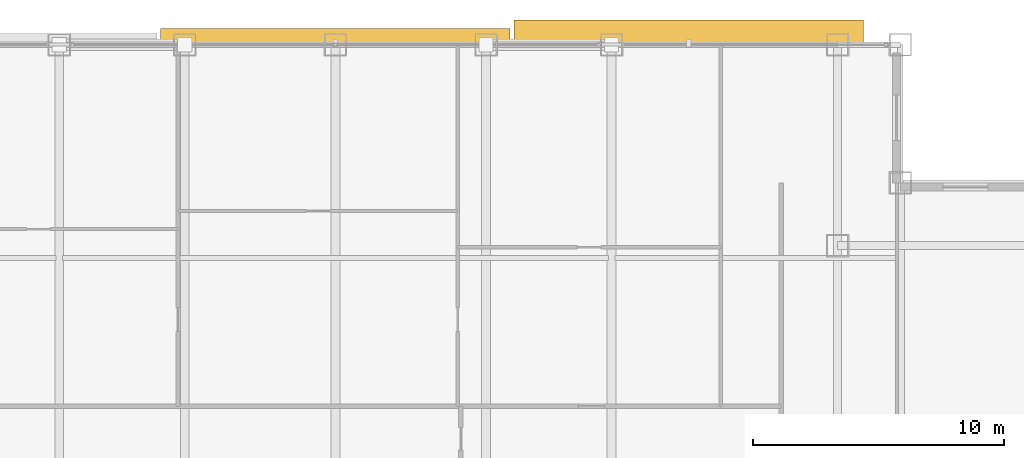
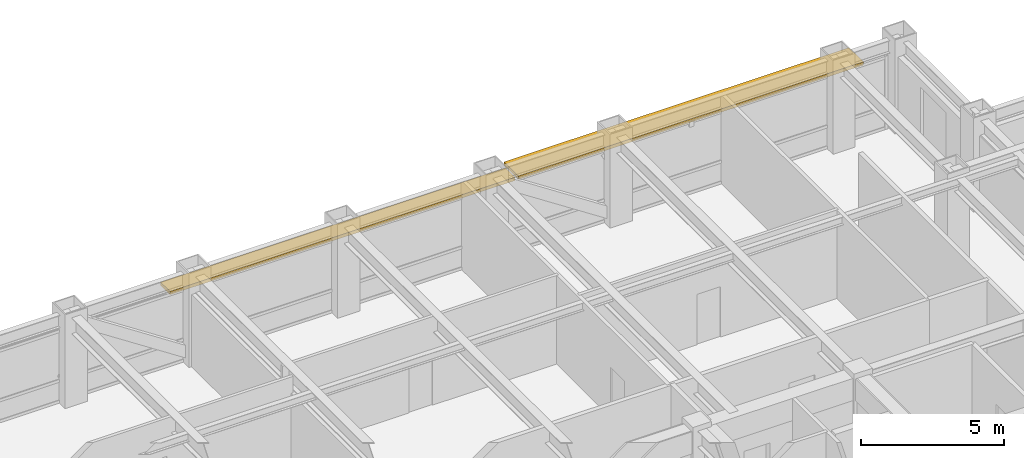
# One storey, part 27 of 27: 2 shading devices.
"""IFC4 building model written with IfcOpenShell, lengths in metres."""

from ifc_helpers import new_model, si_unit, direction, frame, origin, origin_2d, place, context, subcontext, project, spatial, rectangle, extrude, source, transform, mapped, material, layer, layer_set, type_object, element, save


model = new_model("IFC4")

# Units and contexts
model_context = context("Model", 3, precision=1e-05, world=origin(), true_north=direction((0.0, 1.0)))
body_context = subcontext(model_context, "Body", "Model", "MODEL_VIEW")
ifc_project = project(units=[si_unit("LENGTHUNIT", "METRE"), si_unit("AREAUNIT", "SQUARE_METRE"), si_unit("VOLUMEUNIT", "CUBIC_METRE"), si_unit("PLANEANGLEUNIT", "RADIAN"), si_unit("MASSUNIT", "GRAM", prefix="KILO")], contexts=[model_context])

# Site, building, storey
site_placement = place(None, origin())
site = spatial("IfcSite", under=ifc_project, at=site_placement, CompositionType="ELEMENT")
building_placement = place(site_placement, origin())
building = spatial("IfcBuilding", under=site, at=building_placement, Name="Khorayat Bourse Tower", CompositionType="ELEMENT")
storey_placement = place(building_placement, frame((0.0, 0.0, 281.5)))
storey = spatial("IfcBuildingStorey", under=building, at=storey_placement, Name="L66", CompositionType="ELEMENT", Elevation=281.5)

# Shading devices
ifc_material = material(Name="Precast concrete C45/55", Category="concrete")
ifc_layer = layer(ifc_material, 0.139892578125)
ifc_layer_set = layer_set([ifc_layer], Name="Precast concrete C45/55")
shading_device_type = type_object("IfcShadingDeviceType", Name="SHD-WAVE-TRAY-B", PredefinedType="USERDEFINED", material=ifc_layer_set)
shared_shape_1 = source(origin(), body_context, "Body", "SweptSolid", [
    extrude(rectangle(XDim=13.9267578125, YDim=0.6611328125, at=origin_2d()), origin(), (0.0, 0.0, 1.0), 0.139892578125),
])
shading_device_1_placement = place(storey_placement, frame((0.0, 28.310546875, 3.0302734375), z_axis=(0.0, 0.0, 1.0), x_axis=(1.0, 0.0, 0.0)))
element("IfcShadingDevice", 1, at=shading_device_1_placement, inside=storey, type_object=shading_device_type, Name="L66 Sinusoidal Wave Sunshade Tray N-2", ObjectType="SUNSHADE", PredefinedType="USERDEFINED", context=body_context, shape_type="MappedRepresentation", body=[
    mapped(shared_shape_1, transform((0.0, 0.0, 0.0), scale=1.0)),
])
shared_shape_2 = source(origin(), body_context, "Body", "SweptSolid", [
    extrude(rectangle(XDim=13.9267578125, YDim=1.00537109375, at=origin_2d()), origin(), (0.0, 0.0, 1.0), 0.139892578125),
])
shading_device_2_placement = place(storey_placement, frame((14.066650390625, 28.482666015625, 3.0302734375), z_axis=(0.0, 0.0, 1.0), x_axis=(1.0, 0.0, 0.0)))
element("IfcShadingDevice", 2, at=shading_device_2_placement, inside=storey, type_object=shading_device_type, Name="L66 Sinusoidal Wave Sunshade Tray N-3", ObjectType="SUNSHADE", PredefinedType="USERDEFINED", context=body_context, shape_type="MappedRepresentation", body=[
    mapped(shared_shape_2, transform((0.0, 0.0, 0.0), scale=1.0)),
])

save(model, "model.ifc")
